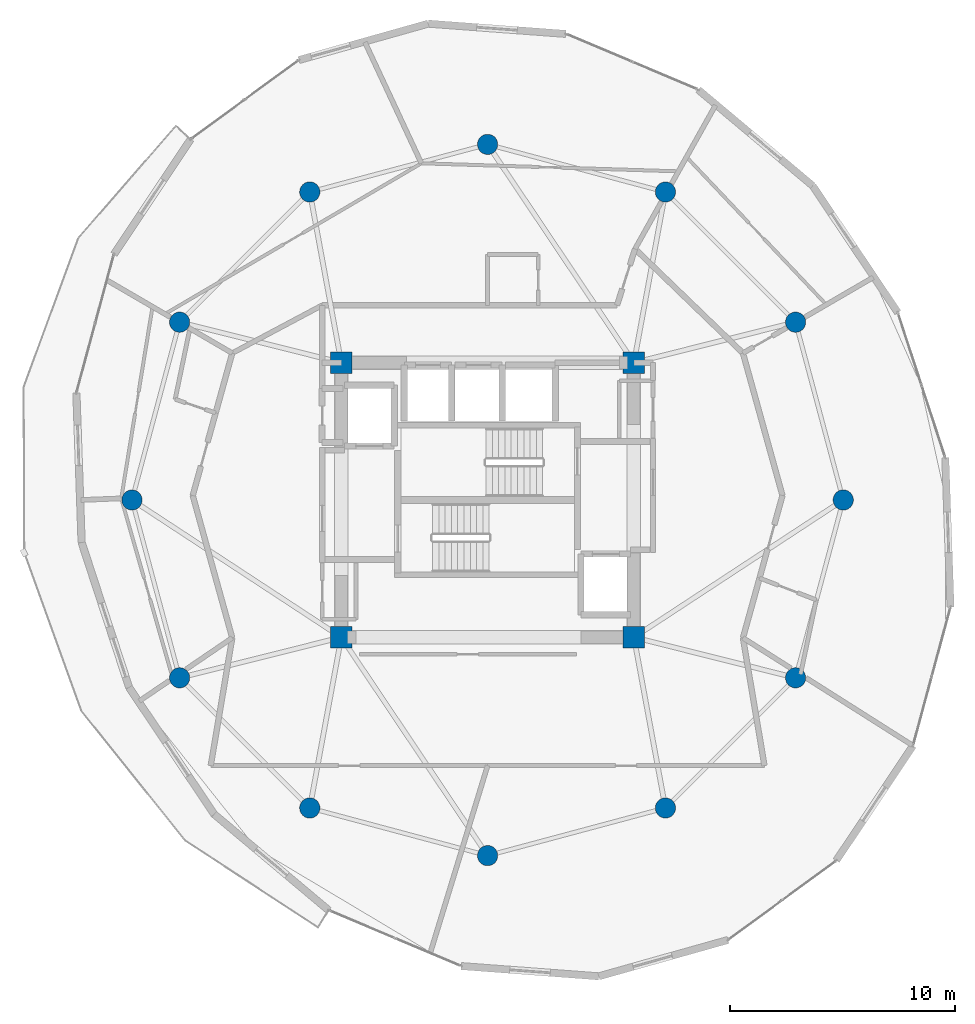
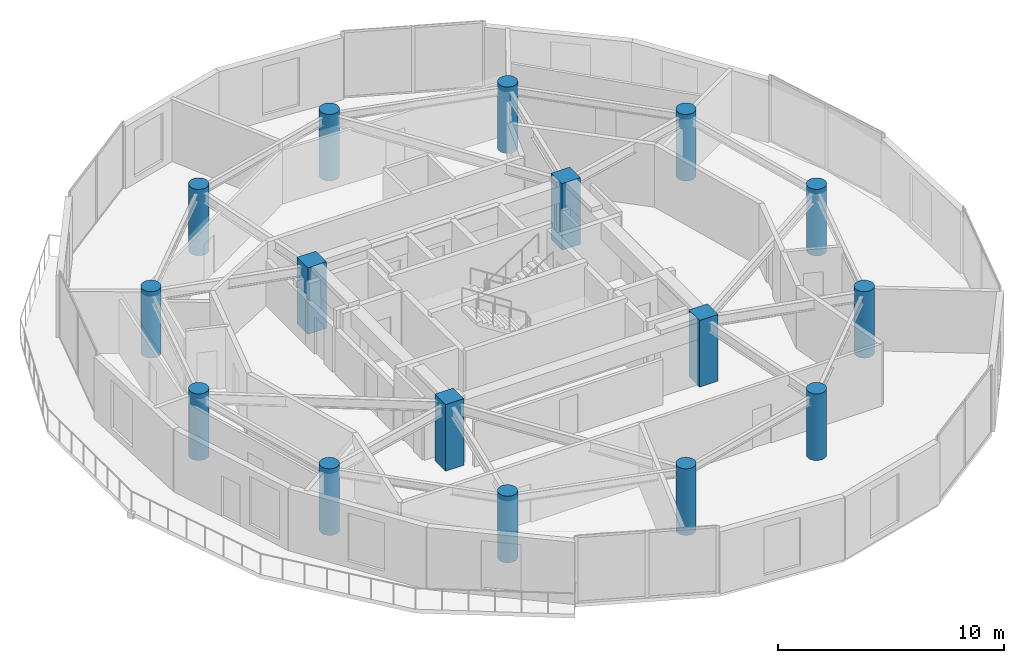
# One storey, part 1 of 18: 16 columns.
"""IFC4 building model written with IfcOpenShell, lengths in metres."""

from ifc_helpers import new_model, si_unit, direction, frame, origin, origin_2d, place, context, subcontext, project, spatial, rectangle, circle, extrude, material, material_profile, profile_set, type_object, element, save


model = new_model("IFC4")

# Units and contexts
model_context = context("Model", 3, precision=1e-05, world=origin(), true_north=direction((0.0, 1.0)))
body_context = subcontext(model_context, "Body", "Model", "MODEL_VIEW")
ifc_project = project(units=[si_unit("LENGTHUNIT", "METRE"), si_unit("AREAUNIT", "SQUARE_METRE"), si_unit("VOLUMEUNIT", "CUBIC_METRE"), si_unit("PLANEANGLEUNIT", "RADIAN"), si_unit("MASSUNIT", "GRAM", prefix="KILO")], contexts=[model_context])

# Site, building, storey
site_placement = place(None, origin())
site = spatial("IfcSite", under=ifc_project, at=site_placement, CompositionType="ELEMENT")
building_placement = place(site_placement, origin())
building = spatial("IfcBuilding", under=site, at=building_placement, Name="Solvirekh Grand Hotel", CompositionType="ELEMENT")
storey_placement = place(building_placement, frame((0.0, 0.0, 202.0)))
storey = spatial("IfcBuildingStorey", under=building, at=storey_placement, Name="L52", CompositionType="ELEMENT", Elevation=202.0)

# Columns
ifc_material = material(Name="Concrete C50/60", Category="concrete")
ifc_material_profile_1 = material_profile(ifc_material, rectangle(XDim=0.949951171875, YDim=0.949951171875, at=origin_2d()), Name="RC 950X950")
ifc_profile_set_1 = profile_set([ifc_material_profile_1], Name="Concrete C50/60")
column_type_1 = type_object("IfcColumnType", Name="Col_Core_950", PredefinedType="COLUMN", material=ifc_profile_set_1)
for number, where, z_axis, x_axis, name in (
    (1, (-6.5, -6.10009765625, 0.0), (0.0, 0.0, 1.0), (1.0, 0.0, 0.0), "L52 core corner column CC1"),
    (2, (6.5, -6.10009765625, 0.0), (0.0, 0.0, 1.0), (1.0, 0.0, 0.0), "L52 core corner column CC2"),
    (3, (6.5, 6.10009765625, 0.0), (0.0, 0.0, 1.0), (1.0, 0.0, 0.0), "L52 core corner column CC3"),
    (4, (-6.5, 6.10009765625, 0.0), (0.0, 0.0, 1.0), (1.0, 0.0, 0.0), "L52 core corner column CC4"),
):
    element("IfcColumn", number, at=place(storey_placement, frame(where, z_axis=z_axis, x_axis=x_axis)), inside=storey, type_object=column_type_1, Name=name, PredefinedType="COLUMN", context=body_context, shape_type="SweptSolid", body=[
        extrude(rectangle(XDim=0.949951171875, YDim=0.949951171875, at=origin_2d()), origin(), (0.0, 0.0, 1.0), 3.60009765625),
    ])
ifc_material_profile_2 = material_profile(ifc_material, circle(Radius=0.449951171875, at=origin_2d()), Name="RC CIRC D900")
ifc_profile_set_2 = profile_set([ifc_material_profile_2], Name="Concrete C50/60")
column_type_2 = type_object("IfcColumnType", Name="Col_Z3_D900", PredefinedType="COLUMN", material=ifc_profile_set_2)
for number, where, z_axis, x_axis, name in (
    (5, (15.800048828125, 0.0, 0.0), (0.0, 0.0, 1.0), (1.0, 0.0, 0.0), "L52 perimeter column P01"),
    (6, (13.68310546875, 7.89990234375, 0.0), (0.0, 0.0, 1.0), (1.0, 0.0, 0.0), "L52 perimeter column P02"),
    (7, (7.89990234375, 13.68310546875, 0.0), (0.0, 0.0, 1.0), (1.0, 0.0, 0.0), "L52 perimeter column P03"),
    (8, (0.0, 15.800048828125, 0.0), (0.0, 0.0, 1.0), (1.0, 0.0, 0.0), "L52 perimeter column P04"),
    (9, (-7.89990234375, 13.68310546875, 0.0), (0.0, 0.0, 1.0), (1.0, 0.0, 0.0), "L52 perimeter column P05"),
    (10, (-13.68310546875, 7.89990234375, 0.0), (0.0, 0.0, 1.0), (1.0, 0.0, 0.0), "L52 perimeter column P06"),
    (11, (-15.800048828125, 0.0, 0.0), (0.0, 0.0, 1.0), (1.0, 0.0, 0.0), "L52 perimeter column P07"),
    (12, (-13.68310546875, -7.89990234375, 0.0), (0.0, 0.0, 1.0), (1.0, 0.0, 0.0), "L52 perimeter column P08"),
    (13, (-7.89990234375, -13.68310546875, 0.0), (0.0, 0.0, 1.0), (1.0, 0.0, 0.0), "L52 perimeter column P09"),
    (14, (0.0, -15.800048828125, 0.0), (0.0, 0.0, 1.0), (1.0, 0.0, 0.0), "L52 perimeter column P10"),
    (15, (7.89990234375, -13.68310546875, 0.0), (0.0, 0.0, 1.0), (1.0, 0.0, 0.0), "L52 perimeter column P11"),
    (16, (13.68310546875, -7.89990234375, 0.0), (0.0, 0.0, 1.0), (1.0, 0.0, 0.0), "L52 perimeter column P12"),
):
    element("IfcColumn", number, at=place(storey_placement, frame(where, z_axis=z_axis, x_axis=x_axis)), inside=storey, type_object=column_type_2, Name=name, PredefinedType="COLUMN", context=body_context, shape_type="SweptSolid", body=[
        extrude(circle(Radius=0.449951171875, at=origin_2d()), origin(), (0.0, 0.0, 1.0), 3.60009765625),
    ])

save(model, "model.ifc")
